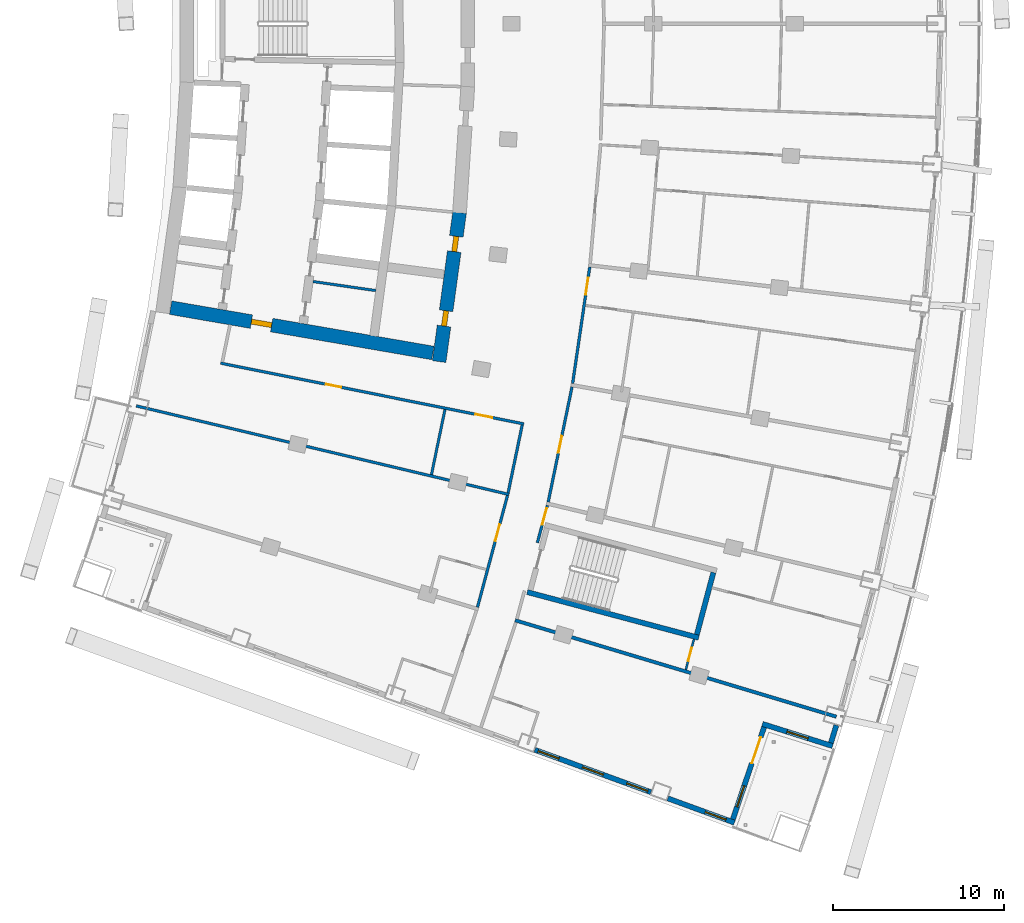
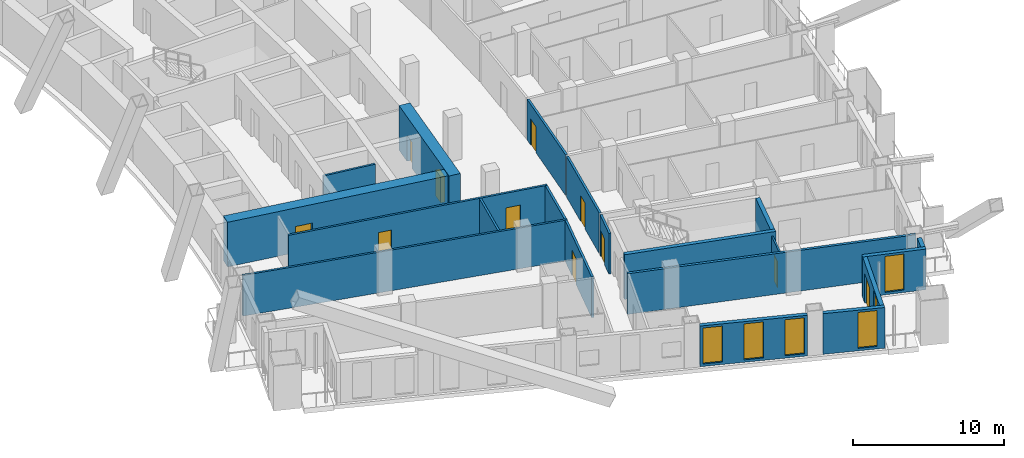
# One storey, part 14 of 25: 20 walls, 11 doors, 6 windows, 17 openings.
"""IFC4 building model written with IfcOpenShell, lengths in metres."""

from ifc_helpers import new_model, si_unit, direction, frame, frame_2d, origin, place, context, subcontext, project, spatial, rectangle, extrude, material, layer, layer_set, type_object, element, fill, save


model = new_model("IFC4")

# Units and contexts
model_context = context("Model", 3, precision=1e-05, world=origin(), true_north=direction((0.0, 1.0)))
body_context = subcontext(model_context, "Body", "Model", "MODEL_VIEW")
ifc_project = project(units=[si_unit("LENGTHUNIT", "METRE"), si_unit("AREAUNIT", "SQUARE_METRE"), si_unit("VOLUMEUNIT", "CUBIC_METRE"), si_unit("PLANEANGLEUNIT", "RADIAN"), si_unit("MASSUNIT", "GRAM", prefix="KILO")], contexts=[model_context])

# Site, building, storey
site_placement = place(None, origin())
site = spatial("IfcSite", under=ifc_project, at=site_placement, CompositionType="ELEMENT")
building_placement = place(site_placement, origin())
building = spatial("IfcBuilding", under=site, at=building_placement, Name="Alderwake Tower", CompositionType="ELEMENT")
storey_placement = place(building_placement, frame((0.0, 0.0, 114.800048828125)))
storey = spatial("IfcBuildingStorey", under=building, at=storey_placement, Name="L28", CompositionType="ELEMENT", Elevation=114.800048828125)

# Wall
ifc_material_1 = material(Name="Gypsum shaft wall system, rated")
ifc_layer_1 = layer(ifc_material_1, 0.14990234375)
ifc_layer_set_1 = layer_set([ifc_layer_1], Name="Core room partition 150")
wall_type_1 = type_object("IfcWallType", Name="Core room partition 150", PredefinedType="PARTITIONING", material=ifc_layer_set_1)
wall_1_placement = place(storey_placement, frame((24.212158203125, 45.9482421875, 0.0), z_axis=(0.0, 0.0, 1.0), x_axis=(0.989728979978, -0.142956448583, 0.0)))
element("IfcWall", 1, at=wall_1_placement, inside=storey, type_object=wall_type_1, Name="CW/L28/PR-150_+86", PredefinedType="PARTITIONING", context=body_context, shape_type="SweptSolid", body=[
    extrude(rectangle(XDim=3.695556640625, YDim=0.14990234375, at=frame_2d((1.84765625, 0.0))), origin(), (0.0, 0.0, 1.0), 3.280029296875),
])

# Wall, openings, doors
ifc_material_2 = material(Name="Concrete C70/85", Category="concrete")
ifc_layer_2 = layer(ifc_material_2, 0.800048828125)
ifc_layer_set_2 = layer_set([ifc_layer_2], Name="Core wall outer 800 C70-85")
wall_type_2 = type_object("IfcWallType", Name="Core wall outer 800 C70-85", PredefinedType="SHEAR", material=ifc_layer_set_2)
wall_2_placement = place(storey_placement, frame((32.763427734375, 49.980712890625, 0.0), z_axis=(0.0, 0.0, 1.0), x_axis=(-0.135838347444, -0.990731014637, 0.0)))
wall_2 = element("IfcWall", 2, at=wall_2_placement, inside=storey, type_object=wall_type_2, Name="Core wall CW.012", PredefinedType="SHEAR", context=body_context, shape_type="SweptSolid", body=[
    extrude(rectangle(XDim=8.788818359375, YDim=0.800048828125, at=frame_2d((4.39453125, 0.0))), origin(), (0.0, 0.0, 1.0), 3.599853515625),
])
opening_1_placement = place(wall_2_placement, frame((1.40576171875, 0.0, 0.0)))
opening_1 = element("IfcOpeningElement", 3, at=opening_1_placement, cuts=wall_2, Name="Opening C050", PredefinedType="OPENING", context=body_context, shape_type="SweptSolid", body=[
    extrude(rectangle(XDim=0.89990234375, YDim=2.10009765625, at=frame_2d((0.449951171875, 1.050048828125))), frame((0.0, 0.409912109375, 0.0), z_axis=(0.0, -1.0, 0.0), x_axis=(1.0, 0.0, 0.0)), (0.0, 0.0, 1.0), 0.820068359375),
])
opening_2_placement = place(wall_2_placement, frame((5.79345703125, 0.0, 0.0)))
opening_2 = element("IfcOpeningElement", 4, at=opening_2_placement, cuts=wall_2, Name="Opening C061", PredefinedType="OPENING", context=body_context, shape_type="SweptSolid", body=[
    extrude(rectangle(XDim=0.89990234375, YDim=2.10009765625, at=frame_2d((0.449951171875, 1.050048828125))), frame((0.0, 0.409912109375, 0.0), z_axis=(0.0, -1.0, 0.0), x_axis=(1.0, 0.0, 0.0)), (0.0, 0.0, 1.0), 0.820068359375),
])
ifc_material_3 = material(Name="Painted steel leaf", Category="steel")
door_type_1 = type_object("IfcDoorType", Name="Core room door 900", OperationType="SINGLE_SWING_LEFT", PredefinedType="DOOR", material=ifc_material_3)
door_1_placement = place(opening_1_placement, origin())
door_1 = element("IfcDoor", 5, at=door_1_placement, inside=storey, type_object=door_type_1, Name="Room door", OperationType="SINGLE_SWING_LEFT", OverallHeight=2.10009765625, OverallWidth=0.89990234375, PredefinedType="DOOR", context=body_context, shape_type="SweptSolid", body=[
    extrude(rectangle(XDim=0.89990234375, YDim=2.10009765625, at=frame_2d((0.449951171875, 1.050048828125))), frame((0.0, 0.14990234375, 0.0), z_axis=(0.0, -1.0, 0.0), x_axis=(1.0, 0.0, 0.0)), (0.0, 0.0, 1.0), 0.300048828125),
])
fill(opening_1, door_1)
door_2_placement = place(opening_2_placement, origin())
door_2 = element("IfcDoor", 6, at=door_2_placement, inside=storey, type_object=door_type_1, Name="Room door", OperationType="SINGLE_SWING_RIGHT", OverallHeight=2.10009765625, OverallWidth=0.89990234375, PredefinedType="DOOR", context=body_context, shape_type="SweptSolid", body=[
    extrude(rectangle(XDim=0.89990234375, YDim=2.10009765625, at=frame_2d((0.449951171875, 1.050048828125))), frame((0.0, 0.14990234375, 0.0), z_axis=(0.0, -1.0, 0.0), x_axis=(1.0, 0.0, 0.0)), (0.0, 0.0, 1.0), 0.300048828125),
])
fill(opening_2, door_2)

# Wall, opening, door
wall_3_placement = place(storey_placement, frame((31.20458984375, 41.776611328125, 0.0), z_axis=(0.0, 0.0, 1.0), x_axis=(-0.985386537175, 0.170333121719, 0.0)))
wall_3 = element("IfcWall", 7, at=wall_3_placement, inside=storey, type_object=wall_type_2, Name="Core wall CW.071", PredefinedType="SHEAR", context=body_context, shape_type="SweptSolid", body=[
    extrude(rectangle(XDim=15.537109375, YDim=0.800048828125, at=frame_2d((7.7685546875, 0.0))), origin(), (0.0, 0.0, 1.0), 3.599853515625),
])
opening_3_placement = place(wall_3_placement, frame((9.5537109375, 0.0, 0.0)))
opening_3 = element("IfcOpeningElement", 8, at=opening_3_placement, cuts=wall_3, Name="Opening C003", PredefinedType="OPENING", context=body_context, shape_type="SweptSolid", body=[
    extrude(rectangle(XDim=1.199951171875, YDim=2.10009765625, at=frame_2d((0.60009765625, 1.050048828125))), frame((0.0, 0.409912109375, 0.0), z_axis=(0.0, -1.0, 0.0), x_axis=(1.0, 0.0, 0.0)), (0.0, 0.0, 1.0), 0.820068359375),
])
ifc_material_4 = material(Name="Steel-framed fire door leaf", Category="steel")
door_type_2 = type_object("IfcDoorType", Name="Core lobby exit door 1200 fire-rated", OperationType="SINGLE_SWING_LEFT", PredefinedType="DOOR", material=ifc_material_4)
door_3_placement = place(opening_3_placement, origin())
door_3 = element("IfcDoor", 9, at=door_3_placement, inside=storey, type_object=door_type_2, Name="Lobby door", OperationType="SINGLE_SWING_LEFT", OverallHeight=2.10009765625, OverallWidth=1.199951171875, PredefinedType="DOOR", context=body_context, shape_type="SweptSolid", body=[
    extrude(rectangle(XDim=1.199951171875, YDim=2.10009765625, at=frame_2d((0.60009765625, 1.050048828125))), frame((0.0, 0.14990234375, 0.0), z_axis=(0.0, -1.0, 0.0), x_axis=(1.0, 0.0, 0.0)), (0.0, 0.0, 1.0), 0.300048828125),
])
fill(opening_3, door_3)

# Walls
ifc_material_5 = material(Name="Concrete C70/85", Category="concrete")
ifc_layer_3 = layer(ifc_material_5, 0.300048828125)
ifc_layer_set_3 = layer_set([ifc_layer_3], Name="Core wall stair enclosure 300 C70-85")
wall_type_3 = type_object("IfcWallType", Name="Core wall stair enclosure 300 C70-85", PredefinedType="SHEAR", material=ifc_layer_set_3)
wall_4_placement = place(storey_placement, frame((36.71142578125, 27.817626953125, 0.0), z_axis=(0.0, 0.0, 1.0), x_axis=(0.966309214305, -0.257383958996, 0.0)))
element("IfcWall", 10, at=wall_4_placement, inside=storey, type_object=wall_type_3, Name="Core wall CW.088", PredefinedType="SHEAR", context=body_context, shape_type="SweptSolid", body=[
    extrude(rectangle(XDim=10.360107421875, YDim=0.300048828125, at=frame_2d((5.18017578125, 0.0))), origin(), (0.0, 0.0, 1.0), 3.599853515625),
])
wall_5_placement = place(storey_placement, frame((46.6162109375, 25.334716796875, 0.0), z_axis=(0.0, 0.0, 1.0), x_axis=(0.257366821694, 0.966313778796, 0.0)))
element("IfcWall", 11, at=wall_5_placement, inside=storey, type_object=wall_type_3, Name="Core wall CW.085", PredefinedType="SHEAR", context=body_context, shape_type="SweptSolid", body=[
    extrude(rectangle(XDim=3.749755859375, YDim=0.300048828125, at=frame_2d((1.875, 0.0))), origin(), (0.0, 0.0, 1.0), 3.599853515625),
])
ifc_material_6 = material(Name="Gypsum board on metal studs, rated")
ifc_layer_4 = layer(ifc_material_6, 0.159912109375)
ifc_layer_set_4 = layer_set([ifc_layer_4], Name="Corridor wall 160")
wall_type_4 = type_object("IfcWallType", Name="Corridor wall 160", PredefinedType="PARTITIONING", material=ifc_layer_set_4)
wall_6_placement = place(storey_placement, frame((13.884033203125, 38.68798828125, 0.0), z_axis=(0.0, 0.0, 1.0), x_axis=(0.972893462073, -0.231253781493, 0.0)))
element("IfcWall", 12, at=wall_6_placement, inside=storey, type_object=wall_type_4, Name="WL/L28/W16", PredefinedType="PARTITIONING", context=body_context, shape_type="SweptSolid", body=[
    extrude(rectangle(XDim=22.38037109375, YDim=0.159912109375, at=frame_2d((11.190185546875, 0.0))), origin(), (0.0, 0.0, 1.0), 3.280029296875),
])

# Wall, openings, doors
wall_7_placement = place(storey_placement, frame((36.513427734375, 37.63427734375, 0.0), z_axis=(0.0, 0.0, 1.0), x_axis=(-0.980470254867, 0.1966674333, 0.0)))
wall_7 = element("IfcWall", 13, at=wall_7_placement, inside=storey, type_object=wall_type_4, Name="WL/L28/W17", PredefinedType="PARTITIONING", context=body_context, shape_type="SweptSolid", body=[
    extrude(rectangle(XDim=18.053466796875, YDim=0.159912109375, at=frame_2d((9.02685546875, 0.0))), origin(), (0.0, 0.0, 1.0), 3.280029296875),
])
opening_4_placement = place(wall_7_placement, frame((10.876708984375, 0.0, 0.0)))
opening_4 = element("IfcOpeningElement", 14, at=opening_4_placement, cuts=wall_7, Name="Opening R08-SBS1", PredefinedType="OPENING", context=body_context, shape_type="SweptSolid", body=[
    extrude(rectangle(XDim=0.89990234375, YDim=2.10009765625, at=frame_2d((0.449951171875, 1.050048828125))), frame((0.0, 0.08984375, 0.0), z_axis=(0.0, -1.0, 0.0), x_axis=(1.0, 0.0, 0.0)), (0.0, 0.0, 1.0), 0.179931640625),
])
opening_5_placement = place(wall_7_placement, frame((1.880615234375, 0.0, 0.0)))
opening_5 = element("IfcOpeningElement", 15, at=opening_5_placement, cuts=wall_7, Name="Opening R08-SBS2", PredefinedType="OPENING", context=body_context, shape_type="SweptSolid", body=[
    extrude(rectangle(XDim=1.0, YDim=2.10009765625, at=frame_2d((0.5, 1.050048828125))), frame((0.0, 0.08984375, 0.0), z_axis=(0.0, -1.0, 0.0), x_axis=(1.0, 0.0, 0.0)), (0.0, 0.0, 1.0), 0.179931640625),
])
ifc_material_7 = material(Name="Steel-framed fire door leaf", Category="steel")
door_type_3 = type_object("IfcDoorType", Name="Plant room door 1000 fire-rated", OperationType="SINGLE_SWING_LEFT", PredefinedType="DOOR", material=ifc_material_7)
door_4_placement = place(opening_5_placement, origin())
door_4 = element("IfcDoor", 16, at=door_4_placement, inside=storey, type_object=door_type_3, Name="DR/L28/SBS2", OperationType="SINGLE_SWING_LEFT", OverallHeight=2.10009765625, OverallWidth=1.0, PredefinedType="DOOR", context=body_context, shape_type="SweptSolid", body=[
    extrude(rectangle(XDim=1.0, YDim=2.10009765625, at=frame_2d((0.5, 1.050048828125))), frame((0.0, 0.02490234375, 0.0), z_axis=(0.0, -1.0, 0.0), x_axis=(1.0, 0.0, 0.0)), (0.0, 0.0, 1.0), 0.050048828125),
])
fill(opening_5, door_4)
ifc_material_8 = material(Name="Painted timber leaf", Category="wood")
door_type_4 = type_object("IfcDoorType", Name="Room door 900", OperationType="SINGLE_SWING_LEFT", PredefinedType="DOOR", material=ifc_material_8)
door_5_placement = place(opening_4_placement, origin())
door_5 = element("IfcDoor", 17, at=door_5_placement, inside=storey, type_object=door_type_4, Name="DR/L28/SBS1", OperationType="SINGLE_SWING_LEFT", OverallHeight=2.10009765625, OverallWidth=0.89990234375, PredefinedType="DOOR", context=body_context, shape_type="SweptSolid", body=[
    extrude(rectangle(XDim=0.89990234375, YDim=2.10009765625, at=frame_2d((0.449951171875, 1.050048828125))), frame((0.0, 0.02490234375, 0.0), z_axis=(0.0, -1.0, 0.0), x_axis=(1.0, 0.0, 0.0)), (0.0, 0.0, 1.0), 0.050048828125),
])
fill(opening_4, door_5)

# Wall, opening, door
wall_8_placement = place(storey_placement, frame((33.808837890625, 26.9345703125, 0.0), z_axis=(0.0, 0.0, 1.0), x_axis=(0.259298911818, 0.965797118618, 0.0)))
wall_8 = element("IfcWall", 18, at=wall_8_placement, inside=storey, type_object=wall_type_4, Name="WL/L28/W24", PredefinedType="PARTITIONING", context=body_context, shape_type="SweptSolid", body=[
    extrude(rectangle(XDim=6.75, YDim=0.159912109375, at=frame_2d((3.375, 0.0))), origin(), (0.0, 0.0, 1.0), 3.280029296875),
])
opening_6_placement = place(wall_8_placement, frame((4.00341796875, 0.0, 0.0)))
opening_6 = element("IfcOpeningElement", 19, at=opening_6_placement, cuts=wall_8, Name="Opening R08-U12.1", PredefinedType="OPENING", context=body_context, shape_type="SweptSolid", body=[
    extrude(rectangle(XDim=1.0, YDim=2.10009765625, at=frame_2d((0.5, 1.050048828125))), frame((0.0, 0.08984375, 0.0), z_axis=(0.0, -1.0, 0.0), x_axis=(1.0, 0.0, 0.0)), (0.0, 0.0, 1.0), 0.179931640625),
])
ifc_material_9 = material(Name="Solid timber leaf in steel frame", Category="steel")
door_type_5 = type_object("IfcDoorType", Name="Flat entrance door 1000 fire-rated", OperationType="SINGLE_SWING_LEFT", PredefinedType="DOOR", material=ifc_material_9)
door_6_placement = place(opening_6_placement, origin())
door_6 = element("IfcDoor", 20, at=door_6_placement, inside=storey, type_object=door_type_5, Name="DR/L28/U12.1", OperationType="SINGLE_SWING_LEFT", OverallHeight=2.10009765625, OverallWidth=1.0, PredefinedType="DOOR", context=body_context, shape_type="SweptSolid", body=[
    extrude(rectangle(XDim=1.0, YDim=2.10009765625, at=frame_2d((0.5, 1.050048828125))), frame((0.0, 0.02490234375, 0.0), z_axis=(0.0, -1.0, 0.0), x_axis=(1.0, 0.0, 0.0)), (0.0, 0.0, 1.0), 0.050048828125),
])
fill(opening_6, door_6)

# Wall
wall_9_placement = place(storey_placement, frame((36.418701171875, 37.57177734375, 0.0), z_axis=(0.0, 0.0, 1.0), x_axis=(-0.203245920818, -0.979127721838, 0.0)))
element("IfcWall", 21, at=wall_9_placement, inside=storey, type_object=wall_type_4, Name="WL/L28/W29", PredefinedType="PARTITIONING", context=body_context, shape_type="SweptSolid", body=[
    extrude(rectangle(XDim=4.046875, YDim=0.159912109375, at=frame_2d((2.0234375, 0.0))), origin(), (0.0, 0.0, 1.0), 3.280029296875),
])

# Wall, opening, door
wall_10_placement = place(storey_placement, frame((37.89111328125, 32.87939453125, 0.0), z_axis=(0.0, 0.0, 1.0), x_axis=(-0.259620578816, -0.965710699462, 0.0)))
wall_10 = element("IfcWall", 22, at=wall_10_placement, inside=storey, type_object=wall_type_4, Name="WL/L28/W32", PredefinedType="PARTITIONING", context=body_context, shape_type="SweptSolid", body=[
    extrude(rectangle(XDim=2.2578125, YDim=0.159912109375, at=frame_2d((1.12890625, 0.0))), origin(), (0.0, 0.0, 1.0), 3.280029296875),
])
opening_7_placement = place(wall_10_placement, frame((0.1708984375, 0.0, 0.0)))
opening_7 = element("IfcOpeningElement", 23, at=opening_7_placement, cuts=wall_10, Name="Opening R08-U01.1", PredefinedType="OPENING", context=body_context, shape_type="SweptSolid", body=[
    extrude(rectangle(XDim=1.0, YDim=2.10009765625, at=frame_2d((0.5, 1.050048828125))), frame((0.0, 0.08984375, 0.0), z_axis=(0.0, -1.0, 0.0), x_axis=(1.0, 0.0, 0.0)), (0.0, 0.0, 1.0), 0.179931640625),
])
door_7_placement = place(opening_7_placement, origin())
door_7 = element("IfcDoor", 24, at=door_7_placement, inside=storey, type_object=door_type_5, Name="DR/L28/U01.1", OperationType="SINGLE_SWING_LEFT", OverallHeight=2.10009765625, OverallWidth=1.0, PredefinedType="DOOR", context=body_context, shape_type="SweptSolid", body=[
    extrude(rectangle(XDim=1.0, YDim=2.10009765625, at=frame_2d((0.5, 1.050048828125))), frame((0.0, 0.02490234375, 0.0), z_axis=(0.0, -1.0, 0.0), x_axis=(1.0, 0.0, 0.0)), (0.0, 0.0, 1.0), 0.050048828125),
])
fill(opening_7, door_7)

wall_11_placement = place(storey_placement, frame((39.32763671875, 39.799072265625, 0.0), z_axis=(0.0, 0.0, 1.0), x_axis=(-0.202463357072, -0.97928983914, 0.0)))
wall_11 = element("IfcWall", 25, at=wall_11_placement, inside=storey, type_object=wall_type_4, Name="WL/L28/W33", PredefinedType="PARTITIONING", context=body_context, shape_type="SweptSolid", body=[
    extrude(rectangle(XDim=6.867431640625, YDim=0.159912109375, at=frame_2d((3.43359375, 0.0))), origin(), (0.0, 0.0, 1.0), 3.280029296875),
])
opening_8_placement = place(wall_11_placement, frame((2.93359375, 0.0, 0.0)))
opening_8 = element("IfcOpeningElement", 26, at=opening_8_placement, cuts=wall_11, Name="Opening R08-U05.2", PredefinedType="OPENING", context=body_context, shape_type="SweptSolid", body=[
    extrude(rectangle(XDim=1.0, YDim=2.10009765625, at=frame_2d((0.5, 1.050048828125))), frame((0.0, 0.08984375, 0.0), z_axis=(0.0, -1.0, 0.0), x_axis=(1.0, 0.0, 0.0)), (0.0, 0.0, 1.0), 0.179931640625),
])
door_8_placement = place(opening_8_placement, origin())
door_8 = element("IfcDoor", 27, at=door_8_placement, inside=storey, type_object=door_type_5, Name="DR/L28/U05.2", OperationType="SINGLE_SWING_LEFT", OverallHeight=2.10009765625, OverallWidth=1.0, PredefinedType="DOOR", context=body_context, shape_type="SweptSolid", body=[
    extrude(rectangle(XDim=1.0, YDim=2.10009765625, at=frame_2d((0.5, 1.050048828125))), frame((0.0, 0.02490234375, 0.0), z_axis=(0.0, -1.0, 0.0), x_axis=(1.0, 0.0, 0.0)), (0.0, 0.0, 1.0), 0.050048828125),
])
fill(opening_8, door_8)

wall_12_placement = place(storey_placement, frame((40.3623046875, 46.7939453125, 0.0), z_axis=(0.0, 0.0, 1.0), x_axis=(-0.1455042199, -0.989357630987, 0.0)))
wall_12 = element("IfcWall", 28, at=wall_12_placement, inside=storey, type_object=wall_type_4, Name="WL/L28/W35", PredefinedType="PARTITIONING", context=body_context, shape_type="SweptSolid", body=[
    extrude(rectangle(XDim=6.87109375, YDim=0.159912109375, at=frame_2d((3.435546875, 0.0))), origin(), (0.0, 0.0, 1.0), 3.280029296875),
])
opening_9_placement = place(wall_12_placement, frame((0.628662109375, 0.0, 0.0)))
opening_9 = element("IfcOpeningElement", 29, at=opening_9_placement, cuts=wall_12, Name="Opening R08-U06.2", PredefinedType="OPENING", context=body_context, shape_type="SweptSolid", body=[
    extrude(rectangle(XDim=1.0, YDim=2.10009765625, at=frame_2d((0.5, 1.050048828125))), frame((0.0, 0.08984375, 0.0), z_axis=(0.0, -1.0, 0.0), x_axis=(1.0, 0.0, 0.0)), (0.0, 0.0, 1.0), 0.179931640625),
])
door_9_placement = place(opening_9_placement, origin())
door_9 = element("IfcDoor", 30, at=door_9_placement, inside=storey, type_object=door_type_5, Name="DR/L28/U06.2", OperationType="SINGLE_SWING_LEFT", OverallHeight=2.10009765625, OverallWidth=1.0, PredefinedType="DOOR", context=body_context, shape_type="SweptSolid", body=[
    extrude(rectangle(XDim=1.0, YDim=2.10009765625, at=frame_2d((0.5, 1.050048828125))), frame((0.0, 0.02490234375, 0.0), z_axis=(0.0, -1.0, 0.0), x_axis=(1.0, 0.0, 0.0)), (0.0, 0.0, 1.0), 0.050048828125),
])
fill(opening_9, door_9)

# Wall
ifc_material_10 = material(Name="Precast concrete C50/60 spandrel panel", Category="concrete")
ifc_layer_5 = layer(ifc_material_10, 0.300048828125)
ifc_layer_set_5 = layer_set([ifc_layer_5], Name="External wall EW1 Precast concrete C50/60 spandrel")
wall_type_5 = type_object("IfcWallType", Name="External wall EW1 Precast concrete C50/60 spandrel", PredefinedType="SOLIDWALL", material=ifc_layer_set_5)
wall_13_placement = place(storey_placement, frame((54.443603515625, 19.013671875, 0.0), z_axis=(0.0, 0.0, 1.0), x_axis=(0.294437594457, 0.95567070844, 0.0)))
element("IfcWall", 31, at=wall_13_placement, inside=storey, type_object=wall_type_5, Name="External wall 11", PredefinedType="SOLIDWALL", context=body_context, shape_type="SweptSolid", body=[
    extrude(rectangle(XDim=1.072998046875, YDim=0.300048828125, at=frame_2d((0.53662109375, 0.0))), origin(), (0.0, 0.0, 1.0), 3.280029296875),
])

# Wall, openings, windows
ifc_material_11 = material(Name="Bronze metal cladding on lightweight framing")
ifc_layer_6 = layer(ifc_material_11, 0.300048828125)
ifc_layer_set_6 = layer_set([ifc_layer_6], Name="External wall EW2 bronze metal cladding")
wall_type_6 = type_object("IfcWallType", Name="External wall EW2 bronze metal cladding", PredefinedType="SOLIDWALL", material=ifc_layer_set_6)
wall_14_placement = place(storey_placement, frame((37.15869140625, 18.6064453125, 0.0), z_axis=(0.0, 0.0, 1.0), x_axis=(0.939364762064, -0.342919587939, 0.0)))
wall_14 = element("IfcWall", 32, at=wall_14_placement, inside=storey, type_object=wall_type_6, Name="External wall 7", PredefinedType="SOLIDWALL", context=body_context, shape_type="SweptSolid", body=[
    extrude(rectangle(XDim=7.212646484375, YDim=0.300048828125, at=frame_2d((3.6064453125, 0.0))), origin(), (0.0, 0.0, 1.0), 3.280029296875),
])
opening_10_placement = place(wall_14_placement, frame((0.20068359375, 0.0, 0.199951171875)))
opening_10 = element("IfcOpeningElement", 33, at=opening_10_placement, cuts=wall_14, Name="Opening W1", PredefinedType="OPENING", context=body_context, shape_type="SweptSolid", body=[
    extrude(rectangle(XDim=1.300048828125, YDim=2.89990234375, at=frame_2d((0.64990234375, 1.449951171875))), frame((0.0, 0.159912109375, 0.0), z_axis=(0.0, -1.0, 0.0), x_axis=(1.0, 0.0, 0.0)), (0.0, 0.0, 1.0), 0.320068359375),
])
opening_11_placement = place(wall_14_placement, frame((2.956298828125, 0.0, 0.199951171875)))
opening_11 = element("IfcOpeningElement", 34, at=opening_11_placement, cuts=wall_14, Name="Opening W1", PredefinedType="OPENING", context=body_context, shape_type="SweptSolid", body=[
    extrude(rectangle(XDim=1.300048828125, YDim=2.89990234375, at=frame_2d((0.64990234375, 1.449951171875))), frame((0.0, 0.159912109375, 0.0), z_axis=(0.0, -1.0, 0.0), x_axis=(1.0, 0.0, 0.0)), (0.0, 0.0, 1.0), 0.320068359375),
])
opening_12_placement = place(wall_14_placement, frame((5.7119140625, 0.0, 0.199951171875)))
opening_12 = element("IfcOpeningElement", 35, at=opening_12_placement, cuts=wall_14, Name="Opening W1", PredefinedType="OPENING", context=body_context, shape_type="SweptSolid", body=[
    extrude(rectangle(XDim=1.300048828125, YDim=2.89990234375, at=frame_2d((0.64990234375, 1.449951171875))), frame((0.0, 0.159912109375, 0.0), z_axis=(0.0, -1.0, 0.0), x_axis=(1.0, 0.0, 0.0)), (0.0, 0.0, 1.0), 0.320068359375),
])
ifc_material_12 = material(Name="Bronze tinted glass in aluminium frame", Category="aluminium")
window_type = type_object("IfcWindowType", Name="Window W1 tall fixed and vent", PartitioningType="DOUBLE_PANEL_VERTICAL", PredefinedType="WINDOW", material=ifc_material_12)
window_1_placement = place(opening_10_placement, origin())
window_1 = element("IfcWindow", 36, at=window_1_placement, inside=storey, type_object=window_type, Name="Window W1 tall fixed and vent", OverallHeight=2.89990234375, OverallWidth=1.300048828125, PartitioningType="DOUBLE_PANEL_VERTICAL", PredefinedType="WINDOW", context=body_context, shape_type="SweptSolid", body=[
    extrude(rectangle(XDim=1.300048828125, YDim=2.89990234375, at=frame_2d((0.64990234375, 1.449951171875))), frame((0.0, 0.030029296875, 0.0), z_axis=(0.0, -1.0, 0.0), x_axis=(1.0, 0.0, 0.0)), (0.0, 0.0, 1.0), 0.06005859375),
])
fill(opening_10, window_1)
window_2_placement = place(opening_11_placement, origin())
window_2 = element("IfcWindow", 37, at=window_2_placement, inside=storey, type_object=window_type, Name="Window W1 tall fixed and vent", OverallHeight=2.89990234375, OverallWidth=1.300048828125, PartitioningType="DOUBLE_PANEL_VERTICAL", PredefinedType="WINDOW", context=body_context, shape_type="SweptSolid", body=[
    extrude(rectangle(XDim=1.300048828125, YDim=2.89990234375, at=frame_2d((0.64990234375, 1.449951171875))), frame((0.0, 0.030029296875, 0.0), z_axis=(0.0, -1.0, 0.0), x_axis=(1.0, 0.0, 0.0)), (0.0, 0.0, 1.0), 0.06005859375),
])
fill(opening_11, window_2)
window_3_placement = place(opening_12_placement, origin())
window_3 = element("IfcWindow", 38, at=window_3_placement, inside=storey, type_object=window_type, Name="Window W1 tall fixed and vent", OverallHeight=2.89990234375, OverallWidth=1.300048828125, PartitioningType="DOUBLE_PANEL_VERTICAL", PredefinedType="WINDOW", context=body_context, shape_type="SweptSolid", body=[
    extrude(rectangle(XDim=1.300048828125, YDim=2.89990234375, at=frame_2d((0.64990234375, 1.449951171875))), frame((0.0, 0.030029296875, 0.0), z_axis=(0.0, -1.0, 0.0), x_axis=(1.0, 0.0, 0.0)), (0.0, 0.0, 1.0), 0.06005859375),
])
fill(opening_12, window_3)

# Wall, opening, window
wall_15_placement = place(storey_placement, frame((44.924072265625, 15.771728515625, 0.0), z_axis=(0.0, 0.0, 1.0), x_axis=(0.939377533493, -0.34288460095, 0.0)))
wall_15 = element("IfcWall", 39, at=wall_15_placement, inside=storey, type_object=wall_type_6, Name="External wall 8", PredefinedType="SOLIDWALL", context=body_context, shape_type="SweptSolid", body=[
    extrude(rectangle(XDim=4.137451171875, YDim=0.300048828125, at=frame_2d((2.06884765625, 0.0))), origin(), (0.0, 0.0, 1.0), 3.280029296875),
])
opening_13_placement = place(wall_15_placement, frame((2.321533203125, 0.0, 0.199951171875)))
opening_13 = element("IfcOpeningElement", 40, at=opening_13_placement, cuts=wall_15, Name="Opening W1", PredefinedType="OPENING", context=body_context, shape_type="SweptSolid", body=[
    extrude(rectangle(XDim=1.300048828125, YDim=2.89990234375, at=frame_2d((0.64990234375, 1.449951171875))), frame((0.0, 0.159912109375, 0.0), z_axis=(0.0, -1.0, 0.0), x_axis=(1.0, 0.0, 0.0)), (0.0, 0.0, 1.0), 0.320068359375),
])
window_4_placement = place(opening_13_placement, origin())
window_4 = element("IfcWindow", 41, at=window_4_placement, inside=storey, type_object=window_type, Name="Window W1 tall fixed and vent", OverallHeight=2.89990234375, OverallWidth=1.300048828125, PartitioningType="DOUBLE_PANEL_VERTICAL", PredefinedType="WINDOW", context=body_context, shape_type="SweptSolid", body=[
    extrude(rectangle(XDim=1.300048828125, YDim=2.89990234375, at=frame_2d((0.64990234375, 1.449951171875))), frame((0.0, 0.030029296875, 0.0), z_axis=(0.0, -1.0, 0.0), x_axis=(1.0, 0.0, 0.0)), (0.0, 0.0, 1.0), 0.06005859375),
])
fill(opening_13, window_4)

# Wall, openings, door, window
wall_16_placement = place(storey_placement, frame((48.718017578125, 14.54638671875, 0.0), z_axis=(0.0, 0.0, 1.0), x_axis=(0.320898962685, 0.947113433411, 0.0)))
wall_16 = element("IfcWall", 42, at=wall_16_placement, inside=storey, type_object=wall_type_6, Name="External wall 9", PredefinedType="SOLIDWALL", context=body_context, shape_type="SweptSolid", body=[
    extrude(rectangle(XDim=5.68701171875, YDim=0.300048828125, at=frame_2d((2.843505859375, 0.0))), origin(), (0.0, 0.0, 1.0), 3.280029296875),
])
opening_14_placement = place(wall_16_placement, frame((0.771728515625, 0.0, 0.199951171875)))
opening_14 = element("IfcOpeningElement", 43, at=opening_14_placement, cuts=wall_16, Name="Opening W1", PredefinedType="OPENING", context=body_context, shape_type="SweptSolid", body=[
    extrude(rectangle(XDim=1.300048828125, YDim=2.89990234375, at=frame_2d((0.64990234375, 1.449951171875))), frame((0.0, 0.159912109375, 0.0), z_axis=(0.0, -1.0, 0.0), x_axis=(1.0, 0.0, 0.0)), (0.0, 0.0, 1.0), 0.320068359375),
])
opening_15_placement = place(wall_16_placement, frame((3.465087890625, 0.0, 0.0)))
opening_15 = element("IfcOpeningElement", 44, at=opening_15_placement, cuts=wall_16, Name="Opening D02", PredefinedType="OPENING", context=body_context, shape_type="SweptSolid", body=[
    extrude(rectangle(XDim=1.60009765625, YDim=2.39990234375, at=frame_2d((0.800048828125, 1.199951171875))), frame((0.0, 0.159912109375, 0.0), z_axis=(0.0, -1.0, 0.0), x_axis=(1.0, 0.0, 0.0)), (0.0, 0.0, 1.0), 0.320068359375),
])
ifc_material_13 = material(Name="Bronze tinted glass in aluminium frame", Category="aluminium")
door_type_6 = type_object("IfcDoorType", Name="Terrace door TD sliding", OperationType="SLIDING_TO_LEFT", PredefinedType="DOOR", material=ifc_material_13)
door_10_placement = place(opening_15_placement, origin())
door_10 = element("IfcDoor", 45, at=door_10_placement, inside=storey, type_object=door_type_6, Name="Door D02", OperationType="SLIDING_TO_LEFT", OverallHeight=2.39990234375, OverallWidth=1.60009765625, PredefinedType="DOOR", context=body_context, shape_type="SweptSolid", body=[
    extrude(rectangle(XDim=1.60009765625, YDim=2.39990234375, at=frame_2d((0.800048828125, 1.199951171875))), frame((0.0, 0.02490234375, 0.0), z_axis=(0.0, -1.0, 0.0), x_axis=(1.0, 0.0, 0.0)), (0.0, 0.0, 1.0), 0.050048828125),
])
fill(opening_15, door_10)
window_5_placement = place(opening_14_placement, origin())
window_5 = element("IfcWindow", 46, at=window_5_placement, inside=storey, type_object=window_type, Name="Window W1 tall fixed and vent", OverallHeight=2.89990234375, OverallWidth=1.300048828125, PartitioningType="DOUBLE_PANEL_VERTICAL", PredefinedType="WINDOW", context=body_context, shape_type="SweptSolid", body=[
    extrude(rectangle(XDim=1.300048828125, YDim=2.89990234375, at=frame_2d((0.64990234375, 1.449951171875))), frame((0.0, 0.030029296875, 0.0), z_axis=(0.0, -1.0, 0.0), x_axis=(1.0, 0.0, 0.0)), (0.0, 0.0, 1.0), 0.06005859375),
])
fill(opening_14, window_5)

# Wall, opening, window
wall_17_placement = place(storey_placement, frame((50.447998046875, 20.119873046875, 0.0), z_axis=(0.0, 0.0, 1.0), x_axis=(0.953453695683, -0.30153946705, 0.0)))
wall_17 = element("IfcWall", 47, at=wall_17_placement, inside=storey, type_object=wall_type_6, Name="External wall 10", PredefinedType="SOLIDWALL", context=body_context, shape_type="SweptSolid", body=[
    extrude(rectangle(XDim=4.29443359375, YDim=0.300048828125, at=frame_2d((2.147216796875, 0.0))), origin(), (0.0, 0.0, 1.0), 3.280029296875),
])
opening_16_placement = place(wall_17_placement, frame((1.4970703125, 0.0, 0.199951171875)))
opening_16 = element("IfcOpeningElement", 48, at=opening_16_placement, cuts=wall_17, Name="Opening W1", PredefinedType="OPENING", context=body_context, shape_type="SweptSolid", body=[
    extrude(rectangle(XDim=1.300048828125, YDim=2.89990234375, at=frame_2d((0.64990234375, 1.449951171875))), frame((0.0, 0.159912109375, 0.0), z_axis=(0.0, -1.0, 0.0), x_axis=(1.0, 0.0, 0.0)), (0.0, 0.0, 1.0), 0.320068359375),
])
window_6_placement = place(opening_16_placement, origin())
window_6 = element("IfcWindow", 49, at=window_6_placement, inside=storey, type_object=window_type, Name="Window W1 tall fixed and vent", OverallHeight=2.89990234375, OverallWidth=1.300048828125, PartitioningType="DOUBLE_PANEL_VERTICAL", PredefinedType="WINDOW", context=body_context, shape_type="SweptSolid", body=[
    extrude(rectangle(XDim=1.300048828125, YDim=2.89990234375, at=frame_2d((0.64990234375, 1.449951171875))), frame((0.0, 0.030029296875, 0.0), z_axis=(0.0, -1.0, 0.0), x_axis=(1.0, 0.0, 0.0)), (0.0, 0.0, 1.0), 0.06005859375),
])
fill(opening_16, window_6)

# Walls
ifc_material_14 = material(Name="Dense block masonry wall", Category="masonry")
ifc_layer_7 = layer(ifc_material_14, 0.199951171875)
ifc_layer_set_7 = layer_set([ifc_layer_7], Name="Party wall 200")
wall_type_7 = type_object("IfcWallType", Name="Party wall 200", PredefinedType="SOLIDWALL", material=ifc_layer_set_7)
wall_18_placement = place(storey_placement, frame((36.00439453125, 26.1708984375, 0.0), z_axis=(0.0, 0.0, 1.0), x_axis=(0.957777200059, -0.287511452028, 0.0)))
element("IfcWall", 50, at=wall_18_placement, inside=storey, type_object=wall_type_7, Name="WL/L28/W05", PredefinedType="SOLIDWALL", context=body_context, shape_type="SweptSolid", body=[
    extrude(rectangle(XDim=19.58154296875, YDim=0.199951171875, at=frame_2d((9.790771484375, 0.0))), origin(), (0.0, 0.0, 1.0), 3.280029296875),
])
ifc_material_15 = material(Name="Gypsum shaft wall system, rated")
ifc_layer_8 = layer(ifc_material_15, 0.14990234375)
ifc_layer_set_8 = layer_set([ifc_layer_8], Name="Riser and shaft wall 150")
wall_type_8 = type_object("IfcWallType", Name="Riser and shaft wall 150", PredefinedType="PARTITIONING", material=ifc_layer_set_8)
wall_19_placement = place(storey_placement, frame((31.120361328125, 34.67138671875, 0.0), z_axis=(0.0, 0.0, 1.0), x_axis=(0.203103989328, 0.979157173042, 0.0)))
element("IfcWall", 51, at=wall_19_placement, inside=storey, type_object=wall_type_8, Name="WL/L28/W14", PredefinedType="PARTITIONING", context=body_context, shape_type="SweptSolid", body=[
    extrude(rectangle(XDim=3.887451171875, YDim=0.14990234375, at=frame_2d((1.94384765625, 0.0))), origin(), (0.0, 0.0, 1.0), 3.280029296875),
])

# Wall, opening, door
ifc_material_16 = material(Name="Moisture resistant gypsum board on metal studs")
ifc_layer_9 = layer(ifc_material_16, 0.1201171875)
ifc_layer_set_9 = layer_set([ifc_layer_9], Name="Wet room partition 120")
wall_type_9 = type_object("IfcWallType", Name="Wet room partition 120", PredefinedType="PARTITIONING", material=ifc_layer_set_9)
wall_20_placement = place(storey_placement, frame((45.970947265625, 23.28369140625, 0.0), z_axis=(0.0, 0.0, 1.0), x_axis=(0.258764710752, 0.965940383497, 0.0)))
wall_20 = element("IfcWall", 52, at=wall_20_placement, inside=storey, type_object=wall_type_9, Name="WL/L28/W64", PredefinedType="PARTITIONING", context=body_context, shape_type="SweptSolid", body=[
    extrude(rectangle(XDim=1.847412109375, YDim=0.1201171875, at=frame_2d((0.923828125, 0.0))), origin(), (0.0, 0.0, 1.0), 3.280029296875),
])
opening_17_placement = place(wall_20_placement, frame((0.523681640625, 0.0, 0.0)))
opening_17 = element("IfcOpeningElement", 53, at=opening_17_placement, cuts=wall_20, Name="Opening R08-U01.4", PredefinedType="OPENING", context=body_context, shape_type="SweptSolid", body=[
    extrude(rectangle(XDim=0.800048828125, YDim=2.10009765625, at=frame_2d((0.39990234375, 1.050048828125))), frame((0.0, 0.070068359375, 0.0), z_axis=(0.0, -1.0, 0.0), x_axis=(1.0, 0.0, 0.0)), (0.0, 0.0, 1.0), 0.14013671875),
])
ifc_material_17 = material(Name="Painted timber leaf", Category="wood")
door_type_7 = type_object("IfcDoorType", Name="Bathroom door 800", OperationType="SINGLE_SWING_LEFT", PredefinedType="DOOR", material=ifc_material_17)
door_11_placement = place(opening_17_placement, origin())
door_11 = element("IfcDoor", 54, at=door_11_placement, inside=storey, type_object=door_type_7, Name="DR/L28/U01.4", OperationType="SINGLE_SWING_LEFT", OverallHeight=2.10009765625, OverallWidth=0.800048828125, PredefinedType="DOOR", context=body_context, shape_type="SweptSolid", body=[
    extrude(rectangle(XDim=0.800048828125, YDim=2.10009765625, at=frame_2d((0.39990234375, 1.050048828125))), frame((0.0, 0.02490234375, 0.0), z_axis=(0.0, -1.0, 0.0), x_axis=(1.0, 0.0, 0.0)), (0.0, 0.0, 1.0), 0.050048828125),
])
fill(opening_17, door_11)

save(model, "model.ifc")
